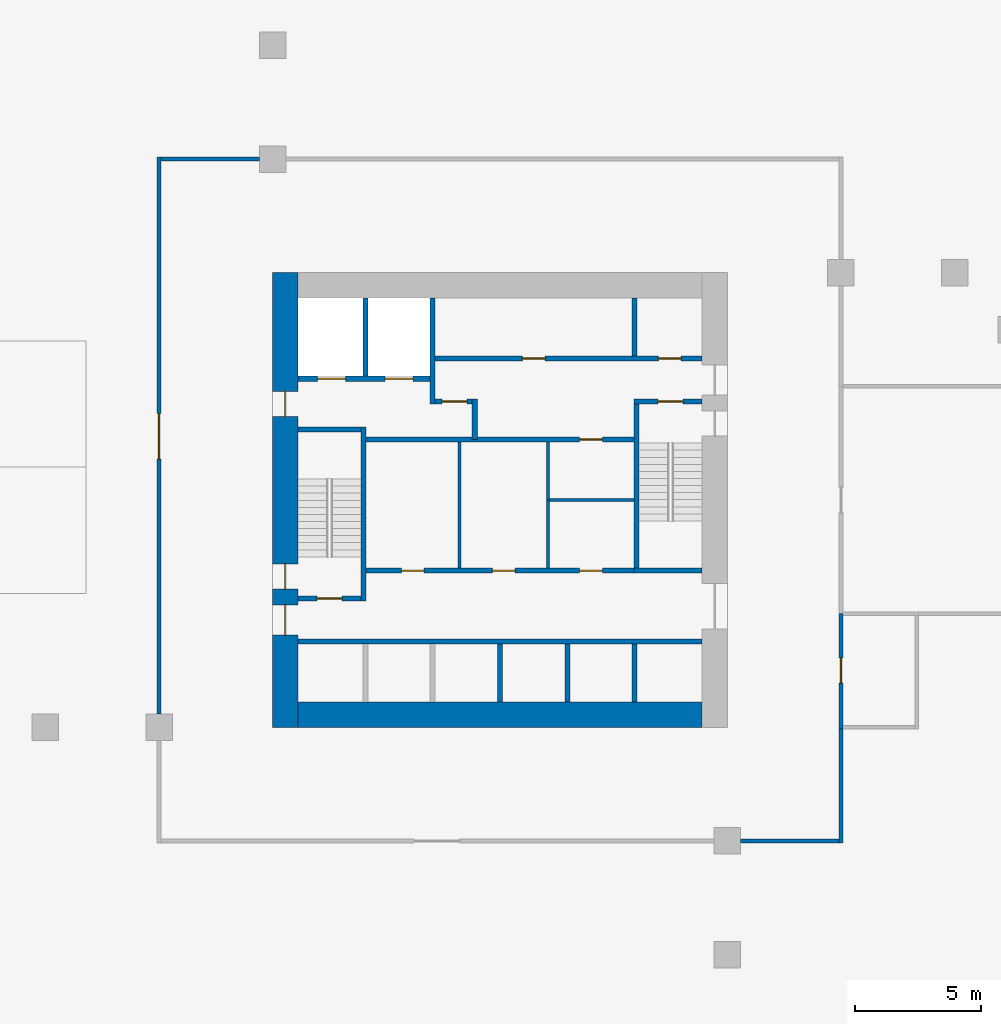
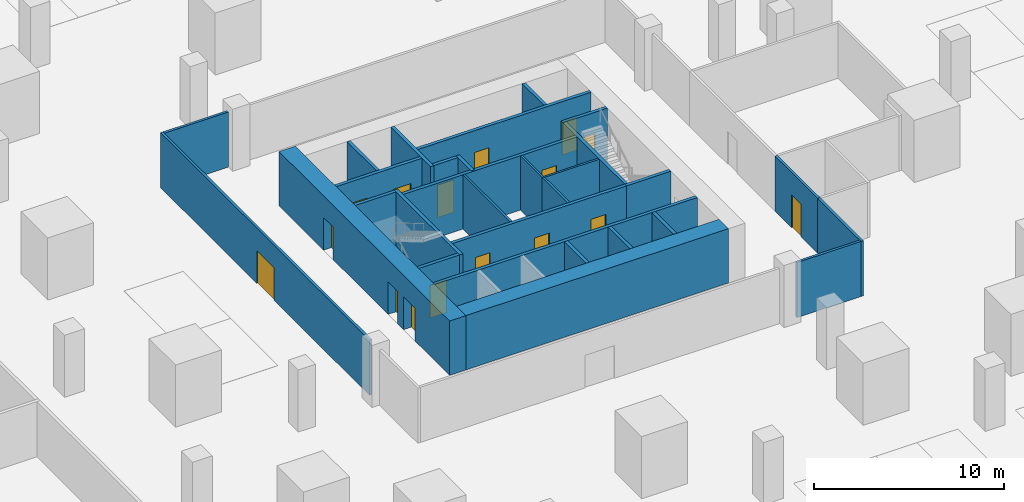
# One storey, part 4 of 31: 30 walls, 16 doors, 16 openings.
"""IFC4 building model written with IfcOpenShell, lengths in metres."""

from ifc_helpers import new_model, si_unit, direction, frame, frame_2d, origin, place, context, subcontext, project, spatial, rectangle, extrude, material, layer, layer_set, type_object, element, fill, save


model = new_model("IFC4")

# Units and contexts
model_context = context("Model", 3, precision=1e-05, world=origin(), true_north=direction((0.0, 1.0)))
body_context = subcontext(model_context, "Body", "Model", "MODEL_VIEW")
ifc_project = project(units=[si_unit("LENGTHUNIT", "METRE"), si_unit("AREAUNIT", "SQUARE_METRE"), si_unit("VOLUMEUNIT", "CUBIC_METRE"), si_unit("PLANEANGLEUNIT", "RADIAN"), si_unit("MASSUNIT", "GRAM", prefix="KILO")], contexts=[model_context])

# Site, building, storey
site_placement = place(None, origin())
site = spatial("IfcSite", under=ifc_project, at=site_placement, CompositionType="ELEMENT")
building_placement = place(site_placement, origin())
building = spatial("IfcBuilding", under=site, at=building_placement, Name="Altepetl Exchange Towers", CompositionType="ELEMENT")
storey_placement = place(building_placement, frame((0.0, 0.0, -4.0)))
storey = spatial("IfcBuildingStorey", under=building, at=storey_placement, Name="B1 Basement services", CompositionType="ELEMENT", Elevation=-4.0)

# Wall
ifc_material_1 = material(Name="Concrete C70/85", Category="concrete")
ifc_layer_1 = layer(ifc_material_1, 1.0)
ifc_layer_set_1 = layer_set([ifc_layer_1], Name="Concrete C70/85")
wall_type_1 = type_object("IfcWallType", Name="Core wall 1000 reinforced concrete", PredefinedType="SHEAR", material=ifc_layer_set_1)
wall_1_placement = place(storey_placement, frame((41.5, 41.0, 0.0)))
element("IfcWall", 1, at=wall_1_placement, inside=storey, type_object=wall_type_1, Name="wall:A:B1:K-coreS", PredefinedType="SHEAR", context=body_context, shape_type="SweptSolid", body=[
    extrude(rectangle(XDim=16.0, YDim=1.0, at=frame_2d((8.0, 0.0))), origin(), (0.0, 0.0, 1.0), 3.5),
])

# Wall, openings, doors
wall_2_placement = place(storey_placement, frame((41.0, 40.5, 0.0), z_axis=(0.0, 0.0, 1.0), x_axis=(0.0, 1.0, 0.0)))
wall_2 = element("IfcWall", 2, at=wall_2_placement, inside=storey, type_object=wall_type_1, Name="wall:A:B1:K-coreW", PredefinedType="SHEAR", context=body_context, shape_type="SweptSolid", body=[
    extrude(rectangle(XDim=18.0, YDim=1.0, at=frame_2d((9.0, 0.0))), origin(), (0.0, 0.0, 1.0), 3.5),
])
opening_1_placement = place(wall_2_placement, frame((3.64990234375, 0.0, 0.0)))
opening_1 = element("IfcOpeningElement", 3, at=opening_1_placement, cuts=wall_2, Name="Opening B1.A62", PredefinedType="OPENING", context=body_context, shape_type="SweptSolid", body=[
    extrude(rectangle(XDim=1.199951171875, YDim=2.10009765625, at=frame_2d((0.60009765625, 1.050048828125))), frame((0.0, 0.510009765625, 0.0), z_axis=(0.0, -1.0, 0.0), x_axis=(1.0, 0.0, 0.0)), (0.0, 0.0, 1.0), 1.02001953125),
])
opening_2_placement = place(wall_2_placement, frame((5.47509765625, 0.0, 0.0)))
opening_2 = element("IfcOpeningElement", 4, at=opening_2_placement, cuts=wall_2, Name="Opening B1.A64", PredefinedType="OPENING", context=body_context, shape_type="SweptSolid", body=[
    extrude(rectangle(XDim=1.0, YDim=2.10009765625, at=frame_2d((0.5, 1.050048828125))), frame((0.0, 0.510009765625, 0.0), z_axis=(0.0, -1.0, 0.0), x_axis=(1.0, 0.0, 0.0)), (0.0, 0.0, 1.0), 1.02001953125),
])
opening_3_placement = place(wall_2_placement, frame((12.300048828125, 0.0, 0.0)))
opening_3 = element("IfcOpeningElement", 5, at=opening_3_placement, cuts=wall_2, Name="Opening B1.A68", PredefinedType="OPENING", context=body_context, shape_type="SweptSolid", body=[
    extrude(rectangle(XDim=1.0, YDim=2.10009765625, at=frame_2d((0.5, 1.050048828125))), frame((0.0, 0.510009765625, 0.0), z_axis=(0.0, -1.0, 0.0), x_axis=(1.0, 0.0, 0.0)), (0.0, 0.0, 1.0), 1.02001953125),
])
ifc_material_2 = material(Name="Steel and timber fire door", Category="steel")
door_type_1 = type_object("IfcDoorType", Name="Fire door 1000 x 2100 stair and lobby", OperationType="SINGLE_SWING_LEFT", PredefinedType="DOOR", material=ifc_material_2)
door_1_placement = place(opening_2_placement, frame((1.0, 0.0, 0.0), x_axis=(-1.0, 0.0, 0.0)))
door_1 = element("IfcDoor", 6, at=door_1_placement, inside=storey, type_object=door_type_1, Name="door:A:B1:K-dS1x", OperationType="SINGLE_SWING_RIGHT", OverallHeight=2.10009765625, OverallWidth=1.0, PredefinedType="DOOR", context=body_context, shape_type="SweptSolid", body=[
    extrude(rectangle(XDim=1.0, YDim=2.10009765625, at=frame_2d((0.5, 1.050048828125))), frame((0.0, 0.02490234375, 0.0), z_axis=(0.0, -1.0, 0.0), x_axis=(1.0, 0.0, 0.0)), (0.0, 0.0, 1.0), 0.050048828125),
])
fill(opening_2, door_1)
door_2_placement = place(opening_3_placement, frame((1.0, 0.0, 0.0), x_axis=(-1.0, 0.0, 0.0)))
door_2 = element("IfcDoor", 7, at=door_2_placement, inside=storey, type_object=door_type_1, Name="door:A:B1:K-dffW", OperationType="SINGLE_SWING_LEFT", OverallHeight=2.10009765625, OverallWidth=1.0, PredefinedType="DOOR", context=body_context, shape_type="SweptSolid", body=[
    extrude(rectangle(XDim=1.0, YDim=2.10009765625, at=frame_2d((0.5, 1.050048828125))), frame((0.0, 0.02490234375, 0.0), z_axis=(0.0, -1.0, 0.0), x_axis=(1.0, 0.0, 0.0)), (0.0, 0.0, 1.0), 0.050048828125),
])
fill(opening_3, door_2)
door_type_2 = type_object("IfcDoorType", Name="Fire door 1200 x 2100 lobby entry", OperationType="SINGLE_SWING_LEFT", PredefinedType="DOOR", material=ifc_material_2)
door_3_placement = place(opening_1_placement, frame((1.199951171875, 0.0, 0.0), x_axis=(-1.0, 0.0, 0.0)))
door_3 = element("IfcDoor", 8, at=door_3_placement, inside=storey, type_object=door_type_2, Name="door:A:B1:K-dLSW", OperationType="SINGLE_SWING_LEFT", OverallHeight=2.10009765625, OverallWidth=1.199951171875, PredefinedType="DOOR", context=body_context, shape_type="SweptSolid", body=[
    extrude(rectangle(XDim=1.199951171875, YDim=2.10009765625, at=frame_2d((0.60009765625, 1.050048828125))), frame((0.0, 0.02490234375, 0.0), z_axis=(0.0, -1.0, 0.0), x_axis=(1.0, 0.0, 0.0)), (0.0, 0.0, 1.0), 0.050048828125),
])
fill(opening_1, door_3)

# Wall
ifc_material_3 = material(Name="Concrete blockwork", Category="masonry")
ifc_layer_2 = layer(ifc_material_3, 0.199951171875)
ifc_layer_set_2 = layer_set([ifc_layer_2], Name="Concrete blockwork")
wall_type_2 = type_object("IfcWallType", Name="Lobby wall 200 blockwork", PredefinedType="PARTITIONING", material=ifc_layer_set_2)
wall_3_placement = place(storey_placement, frame((48.5, 51.89990234375, 0.0), z_axis=(0.0, 0.0, 1.0), x_axis=(0.0, 1.0, 0.0)))
element("IfcWall", 9, at=wall_3_placement, inside=storey, type_object=wall_type_2, Name="wall:A:B1:K-ffE", PredefinedType="PARTITIONING", context=body_context, shape_type="SweptSolid", body=[
    extrude(rectangle(XDim=1.60009765625, YDim=0.199951171875, at=frame_2d((0.800048828125, 0.0))), origin(), (0.0, 0.0, 1.0), 3.5),
])

# Wall, opening, door
wall_4_placement = place(storey_placement, frame((46.933349609375, 53.39990234375, 0.0)))
wall_4 = element("IfcWall", 10, at=wall_4_placement, inside=storey, type_object=wall_type_2, Name="wall:A:B1:K-ffN", PredefinedType="PARTITIONING", context=body_context, shape_type="SweptSolid", body=[
    extrude(rectangle(XDim=1.466552734375, YDim=0.199951171875, at=frame_2d((0.7333984375, 0.0))), origin(), (0.0, 0.0, 1.0), 3.5),
])
opening_4_placement = place(wall_4_placement, frame((0.2666015625, 0.0, 0.0)))
opening_4 = element("IfcOpeningElement", 11, at=opening_4_placement, cuts=wall_4, Name="Opening B1.A67", PredefinedType="OPENING", context=body_context, shape_type="SweptSolid", body=[
    extrude(rectangle(XDim=1.0, YDim=2.10009765625, at=frame_2d((0.5, 1.050048828125))), frame((0.0, 0.10986328125, 0.0), z_axis=(0.0, -1.0, 0.0), x_axis=(1.0, 0.0, 0.0)), (0.0, 0.0, 1.0), 0.219970703125),
])
door_4_placement = place(opening_4_placement, frame((1.0, 0.0, 0.0), x_axis=(-1.0, 0.0, 0.0)))
door_4 = element("IfcDoor", 12, at=door_4_placement, inside=storey, type_object=door_type_1, Name="door:A:B1:K-dffN", OperationType="SINGLE_SWING_RIGHT", OverallHeight=2.10009765625, OverallWidth=1.0, PredefinedType="DOOR", context=body_context, shape_type="SweptSolid", body=[
    extrude(rectangle(XDim=1.0, YDim=2.10009765625, at=frame_2d((0.5, 1.050048828125))), frame((0.0, 0.02490234375, 0.0), z_axis=(0.0, -1.0, 0.0), x_axis=(1.0, 0.0, 0.0)), (0.0, 0.0, 1.0), 0.050048828125),
])
fill(opening_4, door_4)

wall_5_placement = place(storey_placement, frame((44.199951171875, 51.89990234375, 0.0)))
wall_5 = element("IfcWall", 13, at=wall_5_placement, inside=storey, type_object=wall_type_2, Name="wall:A:B1:K-zoneN", PredefinedType="PARTITIONING", context=body_context, shape_type="SweptSolid", body=[
    extrude(rectangle(XDim=10.60009765625, YDim=0.199951171875, at=frame_2d((5.300048828125, 0.0))), origin(), (0.0, 0.0, 1.0), 3.5),
])
opening_5_placement = place(wall_5_placement, frame((8.449951171875, 0.0, 0.0)))
opening_5 = element("IfcOpeningElement", 14, at=opening_5_placement, cuts=wall_5, Name="Opening B1.A74", PredefinedType="OPENING", context=body_context, shape_type="SweptSolid", body=[
    extrude(rectangle(XDim=0.89990234375, YDim=2.10009765625, at=frame_2d((0.449951171875, 1.050048828125))), frame((0.0, 0.10986328125, 0.0), z_axis=(0.0, -1.0, 0.0), x_axis=(1.0, 0.0, 0.0)), (0.0, 0.0, 1.0), 0.219970703125),
])
door_type_3 = type_object("IfcDoorType", Name="Fire door 900 x 2100 service room", OperationType="SINGLE_SWING_LEFT", PredefinedType="DOOR", material=ifc_material_2)
door_5_placement = place(opening_5_placement, frame((0.89990234375, 0.0, 0.0), x_axis=(-1.0, 0.0, 0.0)))
door_5 = element("IfcDoor", 15, at=door_5_placement, inside=storey, type_object=door_type_3, Name="door:A:B1:K-dz4", OperationType="SINGLE_SWING_LEFT", OverallHeight=2.10009765625, OverallWidth=0.89990234375, PredefinedType="DOOR", context=body_context, shape_type="SweptSolid", body=[
    extrude(rectangle(XDim=0.89990234375, YDim=2.10009765625, at=frame_2d((0.449951171875, 1.050048828125))), frame((0.0, 0.02490234375, 0.0), z_axis=(0.0, -1.0, 0.0), x_axis=(1.0, 0.0, 0.0)), (0.0, 0.0, 1.0), 0.050048828125),
])
fill(opening_5, door_5)

# Wall, openings, doors
wall_6_placement = place(storey_placement, frame((44.199951171875, 46.699951171875, 0.0)))
wall_6 = element("IfcWall", 16, at=wall_6_placement, inside=storey, type_object=wall_type_2, Name="wall:A:B1:K-zoneS", PredefinedType="PARTITIONING", context=body_context, shape_type="SweptSolid", body=[
    extrude(rectangle(XDim=10.60009765625, YDim=0.199951171875, at=frame_2d((5.300048828125, 0.0))), origin(), (0.0, 0.0, 1.0), 3.5),
])
opening_6_placement = place(wall_6_placement, frame((1.39990234375, 0.0, 0.0)))
opening_6 = element("IfcOpeningElement", 17, at=opening_6_placement, cuts=wall_6, Name="Opening B1.A71", PredefinedType="OPENING", context=body_context, shape_type="SweptSolid", body=[
    extrude(rectangle(XDim=0.89990234375, YDim=2.10009765625, at=frame_2d((0.449951171875, 1.050048828125))), frame((0.0, 0.10986328125, 0.0), z_axis=(0.0, -1.0, 0.0), x_axis=(1.0, 0.0, 0.0)), (0.0, 0.0, 1.0), 0.219970703125),
])
opening_7_placement = place(wall_6_placement, frame((5.0, 0.0, 0.0)))
opening_7 = element("IfcOpeningElement", 18, at=opening_7_placement, cuts=wall_6, Name="Opening B1.A72", PredefinedType="OPENING", context=body_context, shape_type="SweptSolid", body=[
    extrude(rectangle(XDim=0.89990234375, YDim=2.10009765625, at=frame_2d((0.449951171875, 1.050048828125))), frame((0.0, 0.10986328125, 0.0), z_axis=(0.0, -1.0, 0.0), x_axis=(1.0, 0.0, 0.0)), (0.0, 0.0, 1.0), 0.219970703125),
])
opening_8_placement = place(wall_6_placement, frame((8.449951171875, 0.0, 0.0)))
opening_8 = element("IfcOpeningElement", 19, at=opening_8_placement, cuts=wall_6, Name="Opening B1.A73", PredefinedType="OPENING", context=body_context, shape_type="SweptSolid", body=[
    extrude(rectangle(XDim=0.89990234375, YDim=2.10009765625, at=frame_2d((0.449951171875, 1.050048828125))), frame((0.0, 0.10986328125, 0.0), z_axis=(0.0, -1.0, 0.0), x_axis=(1.0, 0.0, 0.0)), (0.0, 0.0, 1.0), 0.219970703125),
])
door_6_placement = place(opening_6_placement, origin())
door_6 = element("IfcDoor", 20, at=door_6_placement, inside=storey, type_object=door_type_3, Name="door:A:B1:K-dz1", OperationType="SINGLE_SWING_LEFT", OverallHeight=2.10009765625, OverallWidth=0.89990234375, PredefinedType="DOOR", context=body_context, shape_type="SweptSolid", body=[
    extrude(rectangle(XDim=0.89990234375, YDim=2.10009765625, at=frame_2d((0.449951171875, 1.050048828125))), frame((0.0, 0.02490234375, 0.0), z_axis=(0.0, -1.0, 0.0), x_axis=(1.0, 0.0, 0.0)), (0.0, 0.0, 1.0), 0.050048828125),
])
fill(opening_6, door_6)
door_7_placement = place(opening_7_placement, origin())
door_7 = element("IfcDoor", 21, at=door_7_placement, inside=storey, type_object=door_type_3, Name="door:A:B1:K-dz2", OperationType="SINGLE_SWING_RIGHT", OverallHeight=2.10009765625, OverallWidth=0.89990234375, PredefinedType="DOOR", context=body_context, shape_type="SweptSolid", body=[
    extrude(rectangle(XDim=0.89990234375, YDim=2.10009765625, at=frame_2d((0.449951171875, 1.050048828125))), frame((0.0, 0.02490234375, 0.0), z_axis=(0.0, -1.0, 0.0), x_axis=(1.0, 0.0, 0.0)), (0.0, 0.0, 1.0), 0.050048828125),
])
fill(opening_7, door_7)
door_8_placement = place(opening_8_placement, origin())
door_8 = element("IfcDoor", 22, at=door_8_placement, inside=storey, type_object=door_type_3, Name="door:A:B1:K-dz3", OperationType="SINGLE_SWING_RIGHT", OverallHeight=2.10009765625, OverallWidth=0.89990234375, PredefinedType="DOOR", context=body_context, shape_type="SweptSolid", body=[
    extrude(rectangle(XDim=0.89990234375, YDim=2.10009765625, at=frame_2d((0.449951171875, 1.050048828125))), frame((0.0, 0.02490234375, 0.0), z_axis=(0.0, -1.0, 0.0), x_axis=(1.0, 0.0, 0.0)), (0.0, 0.0, 1.0), 0.050048828125),
])
fill(opening_8, door_8)

# Walls
ifc_material_4 = material(Name="Gypsum board on steel studs", Category="steel")
ifc_layer_3 = layer(ifc_material_4, 0.125)
ifc_layer_set_3 = layer_set([ifc_layer_3], Name="Gypsum board on steel studs")
wall_type_3 = type_object("IfcWallType", Name="Partition 125 gypsum board on steel studs", PredefinedType="PARTITIONING", material=ifc_layer_set_3)
wall_7_placement = place(storey_placement, frame((47.89990234375, 46.800048828125, 0.0), z_axis=(0.0, 0.0, 1.0), x_axis=(0.0, 1.0, 0.0)))
element("IfcWall", 23, at=wall_7_placement, inside=storey, type_object=wall_type_3, Name="wall:A:B1:K-zp1", PredefinedType="PARTITIONING", context=body_context, shape_type="SweptSolid", body=[
    extrude(rectangle(XDim=5.0, YDim=0.125, at=frame_2d((2.5, 0.0))), origin(), (0.0, 0.0, 1.0), 3.5),
])
wall_8_placement = place(storey_placement, frame((51.39990234375, 46.800048828125, 0.0), z_axis=(0.0, 0.0, 1.0), x_axis=(0.0, 1.0, 0.0)))
element("IfcWall", 24, at=wall_8_placement, inside=storey, type_object=wall_type_3, Name="wall:A:B1:K-zp2", PredefinedType="PARTITIONING", context=body_context, shape_type="SweptSolid", body=[
    extrude(rectangle(XDim=2.762451171875, YDim=0.125, at=frame_2d((1.38134765625, 0.0))), origin(), (0.0, 0.0, 1.0), 3.5),
])
wall_9_placement = place(storey_placement, frame((54.800048828125, 49.5, 0.0), z_axis=(0.0, 0.0, 1.0), x_axis=(-1.0, 0.0, 0.0)))
element("IfcWall", 25, at=wall_9_placement, inside=storey, type_object=wall_type_3, Name="wall:A:B1:K-zp3", PredefinedType="PARTITIONING", context=body_context, shape_type="SweptSolid", body=[
    extrude(rectangle(XDim=3.337646484375, YDim=0.125, at=frame_2d((1.6689453125, 0.0))), origin(), (0.0, 0.0, 1.0), 3.5),
])
wall_10_placement = place(storey_placement, frame((51.39990234375, 49.5, 0.0), z_axis=(0.0, 0.0, 1.0), x_axis=(0.0, 1.0, 0.0)))
element("IfcWall", 26, at=wall_10_placement, inside=storey, type_object=wall_type_3, Name="wall:A:B1:K-zp4", PredefinedType="PARTITIONING", context=body_context, shape_type="SweptSolid", body=[
    extrude(rectangle(XDim=2.300048828125, YDim=0.125, at=frame_2d((1.14990234375, 0.0))), origin(), (0.0, 0.0, 1.0), 3.5),
])

# Wall, opening, door
ifc_layer_4 = layer(ifc_material_4, 0.14990234375)
ifc_layer_set_4 = layer_set([ifc_layer_4], Name="Gypsum board on steel studs")
wall_type_4 = type_object("IfcWallType", Name="Podium partition 150", PredefinedType="PARTITIONING", material=ifc_layer_set_4)
wall_11_placement = place(storey_placement, frame((63.0, 40.425048828125, 0.0), z_axis=(0.0, 0.0, 1.0), x_axis=(0.0, 1.0, 0.0)))
wall_11 = element("IfcWall", 27, at=wall_11_placement, inside=storey, type_object=wall_type_4, Name="wall:P:B1:P032", PredefinedType="PARTITIONING", context=body_context, shape_type="SweptSolid", body=[
    extrude(rectangle(XDim=4.574951171875, YDim=0.14990234375, at=frame_2d((2.28759765625, 0.0))), origin(), (0.0, 0.0, 1.0), 3.550048828125),
])
opening_9_placement = place(wall_11_placement, frame((1.824951171875, 0.0, 0.0)))
opening_9 = element("IfcOpeningElement", 28, at=opening_9_placement, cuts=wall_11, Name="Opening B1.P012", PredefinedType="OPENING", context=body_context, shape_type="SweptSolid", body=[
    extrude(rectangle(XDim=1.0, YDim=2.10009765625, at=frame_2d((0.5, 1.050048828125))), frame((0.0, 0.0849609375, 0.0), z_axis=(0.0, -1.0, 0.0), x_axis=(1.0, 0.0, 0.0)), (0.0, 0.0, 1.0), 0.169921875),
])
door_type_4 = type_object("IfcDoorType", Name="Podium fire door 1000 x 2100 single leaf", OperationType="SINGLE_SWING_LEFT", PredefinedType="DOOR", material=ifc_material_2)
door_9_placement = place(opening_9_placement, frame((1.0, 0.0, 0.0), x_axis=(-1.0, 0.0, 0.0)))
door_9 = element("IfcDoor", 29, at=door_9_placement, inside=storey, type_object=door_type_4, Name="door:P:B1:012", OperationType="SINGLE_SWING_RIGHT", OverallHeight=2.10009765625, OverallWidth=1.0, PredefinedType="DOOR", context=body_context, shape_type="SweptSolid", body=[
    extrude(rectangle(XDim=1.0, YDim=2.10009765625, at=frame_2d((0.5, 1.050048828125))), frame((0.0, 0.02490234375, 0.0), z_axis=(0.0, -1.0, 0.0), x_axis=(1.0, 0.0, 0.0)), (0.0, 0.0, 1.0), 0.050048828125),
])
fill(opening_9, door_9)

wall_12_placement = place(storey_placement, frame((36.0, 41.02001953125, 0.0), z_axis=(0.0, 0.0, 1.0), x_axis=(0.0, 1.0, 0.0)))
wall_12 = element("IfcWall", 30, at=wall_12_placement, inside=storey, type_object=wall_type_4, Name="wall:P:B1:P034", PredefinedType="PARTITIONING", context=body_context, shape_type="SweptSolid", body=[
    extrude(rectangle(XDim=22.054931640625, YDim=0.14990234375, at=frame_2d((11.02734375, 0.0))), origin(), (0.0, 0.0, 1.0), 3.550048828125),
])
opening_10_placement = place(wall_12_placement, frame((10.10009765625, 0.0, 0.0)))
opening_10 = element("IfcOpeningElement", 31, at=opening_10_placement, cuts=wall_12, Name="Opening B1.P021", PredefinedType="OPENING", context=body_context, shape_type="SweptSolid", body=[
    extrude(rectangle(XDim=1.800048828125, YDim=2.10009765625, at=frame_2d((0.89990234375, 1.050048828125))), frame((0.0, 0.0849609375, 0.0), z_axis=(0.0, -1.0, 0.0), x_axis=(1.0, 0.0, 0.0)), (0.0, 0.0, 1.0), 0.169921875),
])
ifc_material_5 = material(Name="Glazed aluminium and steel", Category="steel")
door_type_5 = type_object("IfcDoorType", Name="Podium fire door 1800 x 2100 double leaf", OperationType="DOUBLE_DOOR_SINGLE_SWING", PredefinedType="DOOR", material=ifc_material_5)
door_10_placement = place(opening_10_placement, frame((1.800048828125, 0.0, 0.0), x_axis=(-1.0, 0.0, 0.0)))
door_10 = element("IfcDoor", 32, at=door_10_placement, inside=storey, type_object=door_type_5, Name="door:P:B1:021", OperationType="DOUBLE_DOOR_SINGLE_SWING", OverallHeight=2.10009765625, OverallWidth=1.800048828125, PredefinedType="DOOR", context=body_context, shape_type="SweptSolid", body=[
    extrude(rectangle(XDim=1.800048828125, YDim=2.10009765625, at=frame_2d((0.89990234375, 1.050048828125))), frame((0.0, 0.02490234375, 0.0), z_axis=(0.0, -1.0, 0.0), x_axis=(1.0, 0.0, 0.0)), (0.0, 0.0, 1.0), 0.050048828125),
])
fill(opening_10, door_10)

# Walls
wall_13_placement = place(storey_placement, frame((63.0, 35.925048828125, 0.0), z_axis=(0.0, 0.0, 1.0), x_axis=(0.0, 1.0, 0.0)))
element("IfcWall", 33, at=wall_13_placement, inside=storey, type_object=wall_type_4, Name="wall:P:B1:P035", PredefinedType="PARTITIONING", context=body_context, shape_type="SweptSolid", body=[
    extrude(rectangle(XDim=4.574951171875, YDim=0.14990234375, at=frame_2d((2.28759765625, 0.0))), origin(), (0.0, 0.0, 1.0), 3.550048828125),
])
for number, where, name in (
    (34, (59.02001953125, 36.0, 0.0), "wall:P:B1:P039"),
    (35, (36.074951171875, 63.0, 0.0), "wall:P:B1:P040"),
):
    element("IfcWall", number, at=place(storey_placement, frame(where)), inside=storey, type_object=wall_type_4, Name=name, PredefinedType="PARTITIONING", context=body_context, shape_type="SweptSolid", body=[
        extrude(rectangle(XDim=3.905029296875, YDim=0.14990234375, at=frame_2d((1.95263671875, 0.0))), origin(), (0.0, 0.0, 1.0), 3.550048828125),
    ])
ifc_material_6 = material(Name="Concrete C40/50", Category="concrete")
ifc_layer_5 = layer(ifc_material_6, 0.199951171875)
ifc_layer_set_5 = layer_set([ifc_layer_5], Name="Concrete C40/50")
wall_type_5 = type_object("IfcWallType", Name="Shaft wall 200 reinforced concrete", PredefinedType="SHEAR", material=ifc_layer_set_5)
wall_14_placement = place(storey_placement, frame((44.166748046875, 57.5, 0.0), z_axis=(0.0, 0.0, 1.0), x_axis=(0.0, -1.0, 0.0)))
element("IfcWall", 36, at=wall_14_placement, inside=storey, type_object=wall_type_5, Name="wall:A:B1:K-divN1", PredefinedType="SHEAR", context=body_context, shape_type="SweptSolid", body=[
    extrude(rectangle(XDim=3.10009765625, YDim=0.199951171875, at=frame_2d((1.550048828125, 0.0))), origin(), (0.0, 0.0, 1.0), 3.5),
])
wall_15_placement = place(storey_placement, frame((46.833251953125, 57.5, 0.0), z_axis=(0.0, 0.0, 1.0), x_axis=(0.0, -1.0, 0.0)))
element("IfcWall", 37, at=wall_15_placement, inside=storey, type_object=wall_type_5, Name="wall:A:B1:K-divN2", PredefinedType="SHEAR", context=body_context, shape_type="SweptSolid", body=[
    extrude(rectangle(XDim=4.199951171875, YDim=0.199951171875, at=frame_2d((2.10009765625, 0.0))), origin(), (0.0, 0.0, 1.0), 3.5),
])
for number, where, z_axis, x_axis, name in (
    (38, (54.833251953125, 57.5, 0.0), (0.0, 0.0, 1.0), (0.0, -1.0, 0.0), "wall:A:B1:K-divN5"),
    (39, (49.5, 41.5, 0.0), (0.0, 0.0, 1.0), (0.0, 1.0, 0.0), "wall:A:B1:K-divS3"),
    (40, (52.166748046875, 41.5, 0.0), (0.0, 0.0, 1.0), (0.0, 1.0, 0.0), "wall:A:B1:K-divS4"),
    (41, (54.833251953125, 41.5, 0.0), (0.0, 0.0, 1.0), (0.0, 1.0, 0.0), "wall:A:B1:K-divS5"),
):
    element("IfcWall", number, at=place(storey_placement, frame(where, z_axis=z_axis, x_axis=x_axis)), inside=storey, type_object=wall_type_5, Name=name, PredefinedType="SHEAR", context=body_context, shape_type="SweptSolid", body=[
        extrude(rectangle(XDim=2.300048828125, YDim=0.199951171875, at=frame_2d((1.14990234375, 0.0))), origin(), (0.0, 0.0, 1.0), 3.5),
    ])

# Wall, openings, doors
wall_16_placement = place(storey_placement, frame((46.933349609375, 55.10009765625, 0.0)))
wall_16 = element("IfcWall", 42, at=wall_16_placement, inside=storey, type_object=wall_type_5, Name="wall:A:B1:K-frontNb", PredefinedType="SHEAR", context=body_context, shape_type="SweptSolid", body=[
    extrude(rectangle(XDim=10.566650390625, YDim=0.199951171875, at=frame_2d((5.283203125, 0.0))), origin(), (0.0, 0.0, 1.0), 3.5),
])
opening_11_placement = place(wall_16_placement, frame((8.83349609375, 0.0, 0.0)))
opening_11 = element("IfcOpeningElement", 43, at=opening_11_placement, cuts=wall_16, Name="Opening B1.A69", PredefinedType="OPENING", context=body_context, shape_type="SweptSolid", body=[
    extrude(rectangle(XDim=0.89990234375, YDim=2.10009765625, at=frame_2d((0.449951171875, 1.050048828125))), frame((0.0, 0.10986328125, 0.0), z_axis=(0.0, -1.0, 0.0), x_axis=(1.0, 0.0, 0.0)), (0.0, 0.0, 1.0), 0.219970703125),
])
opening_12_placement = place(wall_16_placement, frame((3.449951171875, 0.0, 0.0)))
opening_12 = element("IfcOpeningElement", 44, at=opening_12_placement, cuts=wall_16, Name="Opening B1.A70", PredefinedType="OPENING", context=body_context, shape_type="SweptSolid", body=[
    extrude(rectangle(XDim=0.89990234375, YDim=2.10009765625, at=frame_2d((0.449951171875, 1.050048828125))), frame((0.0, 0.10986328125, 0.0), z_axis=(0.0, -1.0, 0.0), x_axis=(1.0, 0.0, 0.0)), (0.0, 0.0, 1.0), 0.219970703125),
])
door_11_placement = place(opening_11_placement, origin())
door_11 = element("IfcDoor", 45, at=door_11_placement, inside=storey, type_object=door_type_3, Name="door:A:B1:K-driser", OperationType="SINGLE_SWING_RIGHT", OverallHeight=2.10009765625, OverallWidth=0.89990234375, PredefinedType="DOOR", context=body_context, shape_type="SweptSolid", body=[
    extrude(rectangle(XDim=0.89990234375, YDim=2.10009765625, at=frame_2d((0.449951171875, 1.050048828125))), frame((0.0, 0.02490234375, 0.0), z_axis=(0.0, -1.0, 0.0), x_axis=(1.0, 0.0, 0.0)), (0.0, 0.0, 1.0), 0.050048828125),
])
fill(opening_11, door_11)
door_12_placement = place(opening_12_placement, origin())
door_12 = element("IfcDoor", 46, at=door_12_placement, inside=storey, type_object=door_type_3, Name="door:A:B1:K-dslotN2", OperationType="SINGLE_SWING_RIGHT", OverallHeight=2.10009765625, OverallWidth=0.89990234375, PredefinedType="DOOR", context=body_context, shape_type="SweptSolid", body=[
    extrude(rectangle(XDim=0.89990234375, YDim=2.10009765625, at=frame_2d((0.449951171875, 1.050048828125))), frame((0.0, 0.02490234375, 0.0), z_axis=(0.0, -1.0, 0.0), x_axis=(1.0, 0.0, 0.0)), (0.0, 0.0, 1.0), 0.050048828125),
])
fill(opening_12, door_12)

wall_17_placement = place(storey_placement, frame((41.5, 54.300048828125, 0.0)))
wall_17 = element("IfcWall", 47, at=wall_17_placement, inside=storey, type_object=wall_type_5, Name="wall:A:B1:K-frontNd", PredefinedType="SHEAR", context=body_context, shape_type="SweptSolid", body=[
    extrude(rectangle(XDim=5.2333984375, YDim=0.199951171875, at=frame_2d((2.61669921875, 0.0))), origin(), (0.0, 0.0, 1.0), 3.5),
])
opening_13_placement = place(wall_17_placement, frame((0.783203125, 0.0, 0.0)))
opening_13 = element("IfcOpeningElement", 48, at=opening_13_placement, cuts=wall_17, Name="Opening B1.A75", PredefinedType="OPENING", context=body_context, shape_type="SweptSolid", body=[
    extrude(rectangle(XDim=1.10009765625, YDim=2.10009765625, at=frame_2d((0.550048828125, 1.050048828125))), frame((0.0, 0.10986328125, 0.0), z_axis=(0.0, -1.0, 0.0), x_axis=(1.0, 0.0, 0.0)), (0.0, 0.0, 1.0), 0.219970703125),
])
opening_14_placement = place(wall_17_placement, frame((3.449951171875, 0.0, 0.0)))
opening_14 = element("IfcOpeningElement", 49, at=opening_14_placement, cuts=wall_17, Name="Opening B1.A76", PredefinedType="OPENING", context=body_context, shape_type="SweptSolid", body=[
    extrude(rectangle(XDim=1.10009765625, YDim=2.10009765625, at=frame_2d((0.550048828125, 1.050048828125))), frame((0.0, 0.10986328125, 0.0), z_axis=(0.0, -1.0, 0.0), x_axis=(1.0, 0.0, 0.0)), (0.0, 0.0, 1.0), 0.219970703125),
])
ifc_material_7 = material(Name="Stainless steel", Category="steel")
door_type_6 = type_object("IfcDoorType", Name="Lift landing door 1100 x 2100", OperationType="SLIDING_TO_LEFT", PredefinedType="DOOR", material=ifc_material_7)
door_13_placement = place(opening_13_placement, origin())
door_13 = element("IfcDoor", 50, at=door_13_placement, inside=storey, type_object=door_type_6, Name="Landing door FFL1", OperationType="SLIDING_TO_LEFT", OverallHeight=2.10009765625, OverallWidth=1.10009765625, PredefinedType="DOOR", context=body_context, shape_type="SweptSolid", body=[
    extrude(rectangle(XDim=1.10009765625, YDim=2.10009765625, at=frame_2d((0.550048828125, 1.050048828125))), frame((0.0, 0.02490234375, 0.0), z_axis=(0.0, -1.0, 0.0), x_axis=(1.0, 0.0, 0.0)), (0.0, 0.0, 1.0), 0.050048828125),
])
fill(opening_13, door_13)
door_14_placement = place(opening_14_placement, origin())
door_14 = element("IfcDoor", 51, at=door_14_placement, inside=storey, type_object=door_type_6, Name="Landing door FFL2", OperationType="SLIDING_TO_LEFT", OverallHeight=2.10009765625, OverallWidth=1.10009765625, PredefinedType="DOOR", context=body_context, shape_type="SweptSolid", body=[
    extrude(rectangle(XDim=1.10009765625, YDim=2.10009765625, at=frame_2d((0.550048828125, 1.050048828125))), frame((0.0, 0.02490234375, 0.0), z_axis=(0.0, -1.0, 0.0), x_axis=(1.0, 0.0, 0.0)), (0.0, 0.0, 1.0), 0.050048828125),
])
fill(opening_14, door_14)

# Walls
wall_18_placement = place(storey_placement, frame((41.5, 43.89990234375, 0.0)))
element("IfcWall", 52, at=wall_18_placement, inside=storey, type_object=wall_type_5, Name="wall:A:B1:K-frontS", PredefinedType="SHEAR", context=body_context, shape_type="SweptSolid", body=[
    extrude(rectangle(XDim=16.0, YDim=0.199951171875, at=frame_2d((8.0, 0.0))), origin(), (0.0, 0.0, 1.0), 3.5),
])
ifc_layer_6 = layer(ifc_material_6, 0.199951171875)
ifc_layer_set_6 = layer_set([ifc_layer_6], Name="Concrete C40/50")
wall_type_6 = type_object("IfcWallType", Name="Stair wall 200 reinforced concrete", PredefinedType="SHEAR", material=ifc_layer_set_6)
wall_19_placement = place(storey_placement, frame((44.10009765625, 45.5, 0.0), z_axis=(0.0, 0.0, 1.0), x_axis=(0.0, 1.0, 0.0)))
element("IfcWall", 53, at=wall_19_placement, inside=storey, type_object=wall_type_6, Name="wall:A:B1:K-stS1E", PredefinedType="SHEAR", context=body_context, shape_type="SweptSolid", body=[
    extrude(rectangle(XDim=6.89990234375, YDim=0.199951171875, at=frame_2d((3.449951171875, 0.0))), origin(), (0.0, 0.0, 1.0), 3.5),
])
wall_20_placement = place(storey_placement, frame((41.5, 52.300048828125, 0.0)))
element("IfcWall", 54, at=wall_20_placement, inside=storey, type_object=wall_type_6, Name="wall:A:B1:K-stS1N", PredefinedType="SHEAR", context=body_context, shape_type="SweptSolid", body=[
    extrude(rectangle(XDim=2.5, YDim=0.199951171875, at=frame_2d((1.25, 0.0))), origin(), (0.0, 0.0, 1.0), 3.5),
])

# Wall, opening, door
wall_21_placement = place(storey_placement, frame((41.5, 45.60009765625, 0.0)))
wall_21 = element("IfcWall", 55, at=wall_21_placement, inside=storey, type_object=wall_type_6, Name="wall:A:B1:K-stS1S", PredefinedType="SHEAR", context=body_context, shape_type="SweptSolid", body=[
    extrude(rectangle(XDim=2.5, YDim=0.199951171875, at=frame_2d((1.25, 0.0))), origin(), (0.0, 0.0, 1.0), 3.5),
])
opening_15_placement = place(wall_21_placement, frame((0.75, 0.0, 0.0)))
opening_15 = element("IfcOpeningElement", 56, at=opening_15_placement, cuts=wall_21, Name="Opening B1.A63", PredefinedType="OPENING", context=body_context, shape_type="SweptSolid", body=[
    extrude(rectangle(XDim=1.0, YDim=2.10009765625, at=frame_2d((0.5, 1.050048828125))), frame((0.0, 0.10986328125, 0.0), z_axis=(0.0, -1.0, 0.0), x_axis=(1.0, 0.0, 0.0)), (0.0, 0.0, 1.0), 0.219970703125),
])
door_15_placement = place(opening_15_placement, origin())
door_15 = element("IfcDoor", 57, at=door_15_placement, inside=storey, type_object=door_type_1, Name="door:A:B1:K-dS1in", OperationType="SINGLE_SWING_RIGHT", OverallHeight=2.10009765625, OverallWidth=1.0, PredefinedType="DOOR", context=body_context, shape_type="SweptSolid", body=[
    extrude(rectangle(XDim=1.0, YDim=2.10009765625, at=frame_2d((0.5, 1.050048828125))), frame((0.0, 0.02490234375, 0.0), z_axis=(0.0, -1.0, 0.0), x_axis=(1.0, 0.0, 0.0)), (0.0, 0.0, 1.0), 0.050048828125),
])
fill(opening_15, door_15)

wall_22_placement = place(storey_placement, frame((54.800048828125, 53.39990234375, 0.0)))
wall_22 = element("IfcWall", 58, at=wall_22_placement, inside=storey, type_object=wall_type_6, Name="wall:A:B1:K-stS2N", PredefinedType="SHEAR", context=body_context, shape_type="SweptSolid", body=[
    extrude(rectangle(XDim=2.699951171875, YDim=0.199951171875, at=frame_2d((1.35009765625, 0.0))), origin(), (0.0, 0.0, 1.0), 3.5),
])
opening_16_placement = place(wall_22_placement, frame((0.949951171875, 0.0, 0.0)))
opening_16 = element("IfcOpeningElement", 59, at=opening_16_placement, cuts=wall_22, Name="Opening B1.A65", PredefinedType="OPENING", context=body_context, shape_type="SweptSolid", body=[
    extrude(rectangle(XDim=1.0, YDim=2.10009765625, at=frame_2d((0.5, 1.050048828125))), frame((0.0, 0.10986328125, 0.0), z_axis=(0.0, -1.0, 0.0), x_axis=(1.0, 0.0, 0.0)), (0.0, 0.0, 1.0), 0.219970703125),
])
door_16_placement = place(opening_16_placement, frame((1.0, 0.0, 0.0), x_axis=(-1.0, 0.0, 0.0)))
door_16 = element("IfcDoor", 60, at=door_16_placement, inside=storey, type_object=door_type_1, Name="door:A:B1:K-dS2in", OperationType="SINGLE_SWING_LEFT", OverallHeight=2.10009765625, OverallWidth=1.0, PredefinedType="DOOR", context=body_context, shape_type="SweptSolid", body=[
    extrude(rectangle(XDim=1.0, YDim=2.10009765625, at=frame_2d((0.5, 1.050048828125))), frame((0.0, 0.02490234375, 0.0), z_axis=(0.0, -1.0, 0.0), x_axis=(1.0, 0.0, 0.0)), (0.0, 0.0, 1.0), 0.050048828125),
])
fill(opening_16, door_16)

# Walls
wall_23_placement = place(storey_placement, frame((54.800048828125, 46.699951171875, 0.0)))
element("IfcWall", 61, at=wall_23_placement, inside=storey, type_object=wall_type_6, Name="wall:A:B1:K-stS2S", PredefinedType="SHEAR", context=body_context, shape_type="SweptSolid", body=[
    extrude(rectangle(XDim=2.699951171875, YDim=0.199951171875, at=frame_2d((1.35009765625, 0.0))), origin(), (0.0, 0.0, 1.0), 3.5),
])
wall_24_placement = place(storey_placement, frame((54.89990234375, 46.800048828125, 0.0), z_axis=(0.0, 0.0, 1.0), x_axis=(0.0, 1.0, 0.0)))
element("IfcWall", 62, at=wall_24_placement, inside=storey, type_object=wall_type_6, Name="wall:A:B1:K-stS2W", PredefinedType="SHEAR", context=body_context, shape_type="SweptSolid", body=[
    extrude(rectangle(XDim=6.5, YDim=0.199951171875, at=frame_2d((3.25, 0.0))), origin(), (0.0, 0.0, 1.0), 3.5),
])

save(model, "model.ifc")
